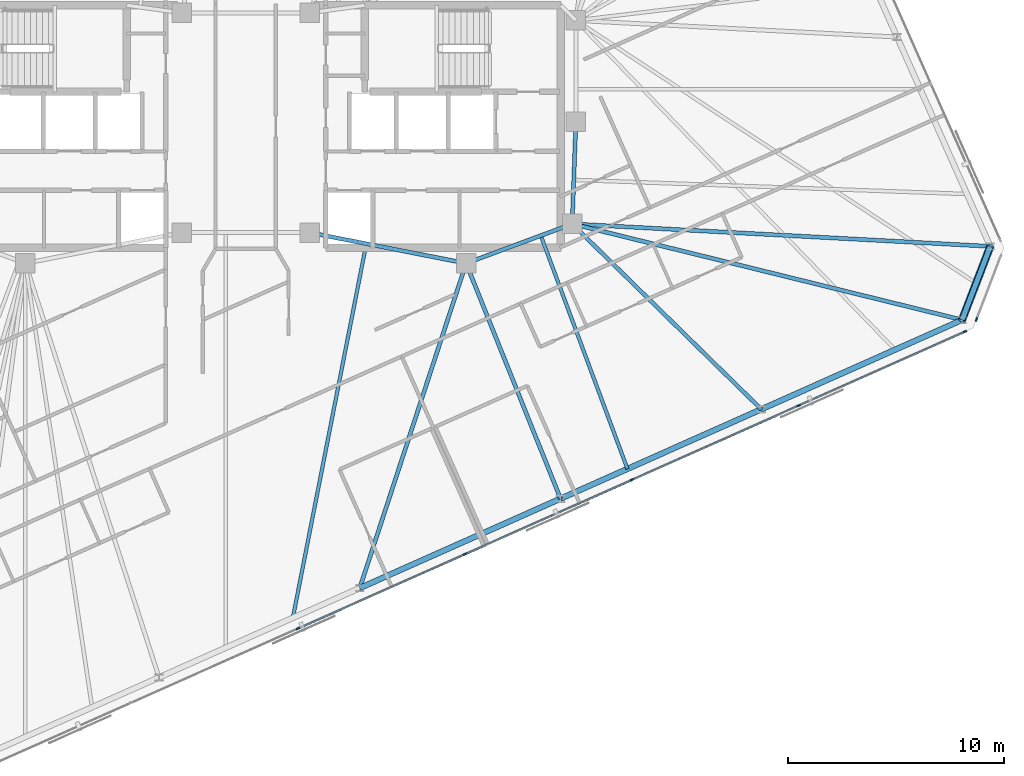
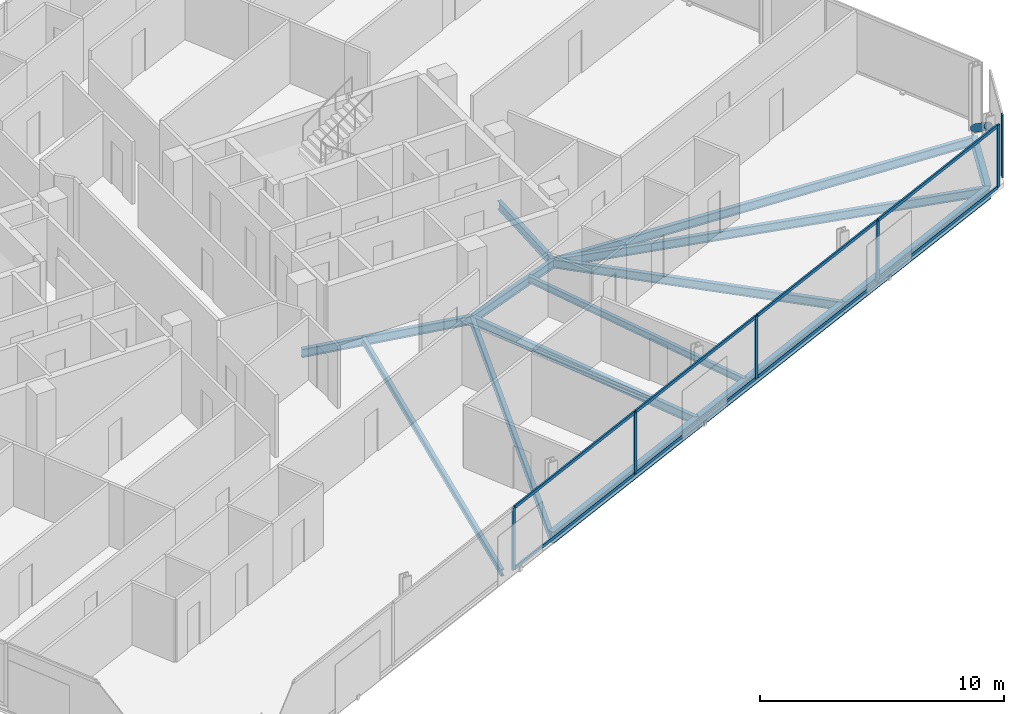
# One storey, part 7 of 19: 15 members, 14 beams, 2 elements without a shape of their own.
"""IFC4 building model written with IfcOpenShell, lengths in metres."""

import ifcopenshell
import ifcopenshell.guid

model = None  # the IFC model being written
_history = None  # IfcOwnerHistory: only IFC2X3 demands one
_inside = {}  # id of a spatial element -> (the spatial element, [elements in it])
_under = {}  # id of a project, library or spatial element -> (it, [spatial elements below it])
_declared = {}  # id of a project -> (the project, [libraries it declares])
_typed = {}  # id of a type object -> (the type object, [elements of that type])
_made_of = {}  # id of a material, layer set ... -> (it, [elements and type objects made of it])


def new_model(schema):
    """Start an empty IFC model of exactly this schema.

    Asked for "IFC4X3", IfcOpenShell would pick the latest addendum, in which some entities
    have other attributes; the version numbers below select the first issue.
    IFC2X3 requires an IfcOwnerHistory on every rooted entity: one is made here for all.
    """
    global model, _history
    if schema == "IFC4X3":
        model = ifcopenshell.file(schema_version=(4, 3, 0, 0))
    else:
        model = ifcopenshell.file(schema=schema)
    _inside.clear()
    _under.clear()
    _declared.clear()
    _typed.clear()
    _made_of.clear()
    _history = None
    if model.schema == "IFC2X3":
        org = make("IfcOrganization", Name="unknown")
        user = make(
            "IfcPersonAndOrganization",
            ThePerson=make("IfcPerson", FamilyName="unknown"),
            TheOrganization=org,
        )
        app = make(
            "IfcApplication",
            ApplicationDeveloper=org,
            Version="unknown",
            ApplicationFullName="unknown",
            ApplicationIdentifier="unknown",
        )
        _history = make(
            "IfcOwnerHistory",
            OwningUser=user,
            OwningApplication=app,
            ChangeAction="ADDED",
            CreationDate=0,
        )
    return model


def make(cls, **values):
    """One entity of the class cls with the attributes given. An attribute that is None is left unset."""
    return model.create_entity(
        cls, **{name: value for name, value in values.items() if value is not None}
    )


def rooted(cls, **values):
    """An entity with a GlobalId (a new one), such as an element, a storey or a relation."""
    return make(cls, GlobalId=ifcopenshell.guid.new(), OwnerHistory=_history, **values)


def si_unit(unit_type, name, prefix=None):
    """IfcSIUnit, for example si_unit("LENGTHUNIT", "METRE", prefix="MILLI")."""
    return make("IfcSIUnit", UnitType=unit_type, Prefix=prefix, Name=name)


def assignment(units):
    """IfcUnitAssignment: the units of a project."""
    return None if units is None else make("IfcUnitAssignment", Units=units)


def point(xyz):
    """IfcCartesianPoint."""
    return None if xyz is None else make("IfcCartesianPoint", Coordinates=xyz)


def direction(xyz):
    """IfcDirection."""
    return None if xyz is None else make("IfcDirection", DirectionRatios=xyz)


def frame(location, z_axis=None, x_axis=None):
    """IfcAxis2Placement3D, a coordinate frame: its origin and axes. An axis left out is left unset."""
    return make(
        "IfcAxis2Placement3D",
        Location=point(location),
        Axis=direction(z_axis),
        RefDirection=direction(x_axis),
    )


def frame_2d(location, x_axis=None):
    """IfcAxis2Placement2D, a coordinate frame in the plane: its origin and x axis."""
    return make(
        "IfcAxis2Placement2D", Location=point(location), RefDirection=direction(x_axis)
    )


def origin():
    """The frame at (0, 0, 0) with its axes left unset."""
    return frame((0.0, 0.0, 0.0))


def origin_2d():
    """The frame at (0, 0) in the plane with its x axis left unset."""
    return frame_2d((0.0, 0.0))


def place(relative_to, where):
    """IfcLocalPlacement: puts the frame where relative to a parent placement (None: the world)."""
    return make(
        "IfcLocalPlacement", PlacementRelTo=relative_to, RelativePlacement=where
    )


def context(
    kind, dimensions, precision=None, world=None, true_north=None, identifier=None
):
    """IfcGeometricRepresentationContext, for example the 3D "Model" context."""
    return make(
        "IfcGeometricRepresentationContext",
        ContextIdentifier=identifier,
        ContextType=kind,
        CoordinateSpaceDimension=dimensions,
        Precision=precision,
        WorldCoordinateSystem=world,
        TrueNorth=true_north,
    )


def subcontext(parent, identifier, kind, view, scale=None):
    """IfcGeometricRepresentationSubContext, for example "Body" below "Model"."""
    return make(
        "IfcGeometricRepresentationSubContext",
        ContextIdentifier=identifier,
        ContextType=kind,
        ParentContext=parent,
        TargetScale=scale,
        TargetView=view,
    )


def project(units=None, contexts=None):
    """IfcProject with its units and contexts."""
    return rooted(
        "IfcProject",
        Name="project",
        RepresentationContexts=contexts,
        UnitsInContext=assignment(units),
    )


def spatial(cls, under=None, at=None, **own):
    """A site, building, storey or space (cls), placed at a placement, below another one or the project."""
    s = rooted(cls, ObjectPlacement=at, **own)
    if under is not None:
        _under.setdefault(under.id(), (under, []))[1].append(s)
    return s


def profile(cls, at=None, kind="AREA", **sizes):
    """A parametric profile (cls). Its sizes go by their IFC names, for example OverallWidth=200.0."""
    return make(cls, ProfileType=kind, Position=at, **sizes)


def rectangle(**sizes):
    """IfcRectangleProfileDef."""
    return profile("IfcRectangleProfileDef", **sizes)


def hollow_circle(**sizes):
    """IfcCircleHollowProfileDef."""
    return profile("IfcCircleHollowProfileDef", **sizes)


def i_section(**sizes):
    """IfcIShapeProfileDef."""
    return profile("IfcIShapeProfileDef", **sizes)


def extrude(swept, where, along, depth):
    """IfcExtrudedAreaSolid: the profile swept, set in the frame where, extruded along a direction by depth."""
    return make(
        "IfcExtrudedAreaSolid",
        SweptArea=swept,
        Position=where,
        ExtrudedDirection=direction(along),
        Depth=depth,
    )


def shape(context_of_items, identifier, shape_type, items):
    """IfcShapeRepresentation: the items that make up one representation, for example the "Body"."""
    return make(
        "IfcShapeRepresentation",
        ContextOfItems=context_of_items,
        RepresentationIdentifier=identifier,
        RepresentationType=shape_type,
        Items=items,
    )


def material(Name=None, Category=None):
    """IfcMaterial."""
    return make("IfcMaterial", Name=Name, Category=Category)


def material_profile(
    of_material, cross_section, Name=None, Category=None, Priority=None
):
    """IfcMaterialProfile: a cross section and its material."""
    return make(
        "IfcMaterialProfile",
        Name=Name,
        Material=of_material,
        Profile=cross_section,
        Priority=Priority,
        Category=Category,
    )


def profile_set(profiles, Name=None, composite=None):
    """IfcMaterialProfileSet."""
    return make(
        "IfcMaterialProfileSet",
        Name=Name,
        MaterialProfiles=profiles,
        CompositeProfile=composite,
    )


def made_of(thing, what):
    """Note that an element or type object is made of a material, layer set ...; save() writes the relation."""
    if what is not None:
        _made_of.setdefault(what.id(), (what, []))[1].append(thing)
    return thing


def type_object(cls, material=None, **own):
    """A type object (cls), such as IfcWallType, which elements share."""
    return made_of(rooted(cls, **own), material)


def element(
    cls,
    number,
    at=None,
    inside=None,
    cuts=None,
    type_object=None,
    material=None,
    context=None,
    identifier="Body",
    shape_type=None,
    held_by="IfcProductDefinitionShape",
    body=None,
    shapes=None,
    **own,
):
    """One element of the class cls, such as IfcWall. Its Tag is "e" and its number.

    at: its placement. inside: the storey or other place that contains it. cuts: it is an
    opening in that element (IfcRelVoidsElement). A single representation is given by context,
    identifier, shape_type and body (its items); several are given by shapes. held_by: the class
    of the entity that holds the representations. save() writes the other relations.
    """
    e = rooted(cls, Tag="e%d" % number, ObjectPlacement=at, **own)
    if body is not None:
        shapes = [shape(context, identifier, shape_type, body)]
    if shapes is not None:
        e.Representation = make(held_by, Representations=shapes)
    if inside is not None:
        _inside.setdefault(inside.id(), (inside, []))[1].append(e)
    if cuts is not None:
        rooted(
            "IfcRelVoidsElement", RelatingBuildingElement=cuts, RelatedOpeningElement=e
        )
    if type_object is not None:
        _typed.setdefault(type_object.id(), (type_object, []))[1].append(e)
    return made_of(e, material)


def aggregate(whole, parts):
    """IfcRelAggregates: a whole, such as a stair, and the parts it consists of."""
    return rooted("IfcRelAggregates", RelatingObject=whole, RelatedObjects=parts)


def save(model, path):
    """Write the relations noted so far, then the file.

    IfcRelAggregates (storeys below a building ...), IfcRelContainedInSpatialStructure (elements
    in a storey), IfcRelDefinesByType, IfcRelAssociatesMaterial and IfcRelDeclares: one each for
    every whole, place, type object, material and project.
    """
    for whole, parts in _under.values():
        aggregate(whole, parts)
    for where, things in _inside.values():
        rooted(
            "IfcRelContainedInSpatialStructure",
            RelatedElements=things,
            RelatingStructure=where,
        )
    for kind, things in _typed.values():
        rooted("IfcRelDefinesByType", RelatedObjects=things, RelatingType=kind)
    for what, things in _made_of.values():
        rooted("IfcRelAssociatesMaterial", RelatedObjects=things, RelatingMaterial=what)
    for by, libraries in _declared.values():
        rooted("IfcRelDeclares", RelatingContext=by, RelatedDefinitions=libraries)
    model.write(path)


model = new_model("IFC4")

# Units and contexts
model_context = context("Model", 3, precision=1e-05, world=origin(), true_north=direction((0.0, 1.0)))
body_context = subcontext(model_context, "Body", "Model", "MODEL_VIEW")
ifc_project = project(units=[si_unit("LENGTHUNIT", "METRE"), si_unit("AREAUNIT", "SQUARE_METRE"), si_unit("VOLUMEUNIT", "CUBIC_METRE"), si_unit("PLANEANGLEUNIT", "RADIAN"), si_unit("MASSUNIT", "GRAM", prefix="KILO")], contexts=[model_context])

# Site, building, storey
site_placement = place(None, origin())
site = spatial("IfcSite", under=ifc_project, at=site_placement, CompositionType="ELEMENT")
building_placement = place(site_placement, origin())
building = spatial("IfcBuilding", under=site, at=building_placement, Name="Menara Jurai Vektor", CompositionType="ELEMENT")
storey_placement = place(building_placement, frame((0.0, 0.0, 291.949951171875)))
storey = spatial("IfcBuildingStorey", under=building, at=storey_placement, Name="L78", CompositionType="ELEMENT", Elevation=291.949951171875)

# Curtain wall, members
ifc_material_1 = material(Name="Anodised Pale Aluminium & Low-E Double Glazing", Category="aluminium")
curtain_wall_type = type_object("IfcCurtainWallType", Name="CW-BLK5", PredefinedType="NOTDEFINED", material=ifc_material_1)
curtain_wall_1_placement = place(storey_placement, origin())
curtain_wall_1 = element("IfcCurtainWall", 1, at=curtain_wall_1_placement, inside=storey, type_object=curtain_wall_type, Name="Unitised Curtain Wall L78 F01", PredefinedType="NOTDEFINED")
ifc_material_2 = material(Name="Anodised Pale Aluminium Mullion", Category="aluminium")
ifc_material_profile_1 = material_profile(ifc_material_2, rectangle(XDim=0.074951171875, YDim=0.175048828125, at=origin_2d()), Name="ALU MUL 75x175")
ifc_profile_set_1 = profile_set([ifc_material_profile_1], Name="Anodised Pale Aluminium Mullion")
member_type_1 = type_object("IfcMemberType", Name="CW-BLK5-MUL", PredefinedType="MULLION", material=ifc_profile_set_1)
member_1_placement = place(storey_placement, frame((2.417724609375, -23.190185546875, 0.0), z_axis=(0.0, 0.0, 1.0), x_axis=(-0.406735498684, 0.913545967158, 0.0)))
member_1 = element("IfcMember", 2, at=member_1_placement, type_object=member_type_1, Name="CW-05 mullion 3", PredefinedType="MULLION", context=body_context, shape_type="SweptSolid", body=[
    extrude(rectangle(XDim=0.074951171875, YDim=0.175048828125, at=origin_2d()), origin(), (0.0, 0.0, 1.0), 3.125),
])
member_2_placement = place(storey_placement, frame((10.1279296875, -19.75732421875, 0.0), z_axis=(0.0, 0.0, 1.0), x_axis=(-0.406735498684, 0.913545967158, 0.0)))
member_2 = element("IfcMember", 3, at=member_2_placement, type_object=member_type_1, Name="CW-05 mullion 4", PredefinedType="MULLION", context=body_context, shape_type="SweptSolid", body=[
    extrude(rectangle(XDim=0.074951171875, YDim=0.175048828125, at=origin_2d()), origin(), (0.0, 0.0, 1.0), 3.125),
])
member_3_placement = place(storey_placement, frame((17.83837890625, -16.324462890625, 0.0), z_axis=(0.0, 0.0, 1.0), x_axis=(-0.406735498684, 0.913545967158, 0.0)))
member_3 = element("IfcMember", 4, at=member_3_placement, type_object=member_type_1, Name="CW-05 mullion 5", PredefinedType="MULLION", context=body_context, shape_type="SweptSolid", body=[
    extrude(rectangle(XDim=0.074951171875, YDim=0.175048828125, at=origin_2d()), origin(), (0.0, 0.0, 1.0), 3.125),
])
member_4_placement = place(storey_placement, frame((25.548583984375, -12.8916015625, 0.0), z_axis=(0.0, 0.0, 1.0), x_axis=(-0.406735498684, 0.913545967158, 0.0)))
member_4 = element("IfcMember", 5, at=member_4_placement, type_object=member_type_1, Name="CW-05 mullion 6", PredefinedType="MULLION", context=body_context, shape_type="SweptSolid", body=[
    extrude(rectangle(XDim=0.074951171875, YDim=0.175048828125, at=origin_2d()), origin(), (0.0, 0.0, 1.0), 3.125),
])
member_5_placement = place(storey_placement, frame((33.224853515625, -9.47412109375, 0.0), z_axis=(0.0, 0.0, 1.0), x_axis=(-0.406735498684, 0.913545967158, 0.0)))
member_5 = element("IfcMember", 6, at=member_5_placement, type_object=member_type_1, Name="CW-05 mullion 7", PredefinedType="MULLION", context=body_context, shape_type="SweptSolid", body=[
    extrude(rectangle(XDim=0.074951171875, YDim=0.175048828125, at=origin_2d()), origin(), (0.0, 0.0, 1.0), 3.125),
])

# Curtain wall, member
curtain_wall_2_placement = place(storey_placement, origin())
curtain_wall_2 = element("IfcCurtainWall", 7, at=curtain_wall_2_placement, inside=storey, type_object=curtain_wall_type, Name="Unitised Curtain Wall L78 F02", PredefinedType="NOTDEFINED")
member_6_placement = place(storey_placement, frame((33.755859375, -8.914306640625, 0.0), z_axis=(0.0, 0.0, 1.0), x_axis=(-0.933578193639, 0.358373766287, 0.0)))
member_6 = element("IfcMember", 8, at=member_6_placement, type_object=member_type_1, Name="CW-05 mullion 1", PredefinedType="MULLION", context=body_context, shape_type="SweptSolid", body=[
    extrude(rectangle(XDim=0.074951171875, YDim=0.175048828125, at=origin_2d()), origin(), (0.0, 0.0, 1.0), 3.125),
])
aggregate(curtain_wall_2, [member_6])

# Member
ifc_material_3 = material(Name="Anodised Pale Aluminium Transom", Category="aluminium")
ifc_material_profile_2 = material_profile(ifc_material_3, rectangle(XDim=0.074951171875, YDim=0.155029296875, at=origin_2d()), Name="ALU TRN 75x155")
ifc_profile_set_2 = profile_set([ifc_material_profile_2], Name="Anodised Pale Aluminium Transom")
member_type_2 = type_object("IfcMemberType", Name="CW-BLK5-TRN", PredefinedType="USERDEFINED", material=ifc_profile_set_2)
member_7_placement = place(storey_placement, frame((2.451904296875, -23.175048828125, 0.03759765625), z_axis=(0.913546575494, 0.406734132331, 0.0), x_axis=(-0.406734132331, 0.913546575494, 0.0)))
member_7 = element("IfcMember", 9, at=member_7_placement, type_object=member_type_2, Name="CW-05 transom 3.1", ObjectType="TRANSOM", PredefinedType="USERDEFINED", context=body_context, shape_type="SweptSolid", body=[
    extrude(rectangle(XDim=0.074951171875, YDim=0.155029296875, at=origin_2d()), origin(), (0.0, 0.0, 1.0), 8.364990234375),
])

member_8_placement = place(storey_placement, frame((2.451904296875, -23.175048828125, 3.087646484375), z_axis=(0.913546575494, 0.406734132331, 0.0), x_axis=(-0.406734132331, 0.913546575494, 0.0)))
member_8 = element("IfcMember", 10, at=member_8_placement, type_object=member_type_2, Name="CW-05 transom 3.2", ObjectType="TRANSOM", PredefinedType="USERDEFINED", context=body_context, shape_type="SweptSolid", body=[
    extrude(rectangle(XDim=0.074951171875, YDim=0.155029296875, at=origin_2d()), origin(), (0.0, 0.0, 1.0), 8.364990234375),
])

member_9_placement = place(storey_placement, frame((10.162353515625, -19.7421875, 0.03759765625), z_axis=(0.913541747007, 0.406744977198, 0.0), x_axis=(-0.406744977198, 0.913541747007, 0.0)))
member_9 = element("IfcMember", 11, at=member_9_placement, type_object=member_type_2, Name="CW-05 transom 4.1", ObjectType="TRANSOM", PredefinedType="USERDEFINED", context=body_context, shape_type="SweptSolid", body=[
    extrude(rectangle(XDim=0.074951171875, YDim=0.155029296875, at=origin_2d()), origin(), (0.0, 0.0, 1.0), 8.36474609375),
])

member_10_placement = place(storey_placement, frame((10.162353515625, -19.7421875, 3.087646484375), z_axis=(0.913541747007, 0.406744977198, 0.0), x_axis=(-0.406744977198, 0.913541747007, 0.0)))
member_10 = element("IfcMember", 12, at=member_10_placement, type_object=member_type_2, Name="CW-05 transom 4.2", ObjectType="TRANSOM", PredefinedType="USERDEFINED", context=body_context, shape_type="SweptSolid", body=[
    extrude(rectangle(XDim=0.074951171875, YDim=0.155029296875, at=origin_2d()), origin(), (0.0, 0.0, 1.0), 8.36474609375),
])

member_11_placement = place(storey_placement, frame((17.87255859375, -16.309326171875, 0.03759765625), z_axis=(0.913546575494, 0.406734132331, 0.0), x_axis=(-0.406734132331, 0.913546575494, 0.0)))
member_11 = element("IfcMember", 13, at=member_11_placement, type_object=member_type_2, Name="CW-05 transom 5.1", ObjectType="TRANSOM", PredefinedType="USERDEFINED", context=body_context, shape_type="SweptSolid", body=[
    extrude(rectangle(XDim=0.074951171875, YDim=0.155029296875, at=origin_2d()), origin(), (0.0, 0.0, 1.0), 8.364990234375),
])

member_12_placement = place(storey_placement, frame((17.87255859375, -16.309326171875, 3.087646484375), z_axis=(0.913546575494, 0.406734132331, 0.0), x_axis=(-0.406734132331, 0.913546575494, 0.0)))
member_12 = element("IfcMember", 14, at=member_12_placement, type_object=member_type_2, Name="CW-05 transom 5.2", ObjectType="TRANSOM", PredefinedType="USERDEFINED", context=body_context, shape_type="SweptSolid", body=[
    extrude(rectangle(XDim=0.074951171875, YDim=0.155029296875, at=origin_2d()), origin(), (0.0, 0.0, 1.0), 8.364990234375),
])

member_13_placement = place(storey_placement, frame((25.5830078125, -12.87646484375, 0.03759765625), z_axis=(0.91353811338, 0.406753138159, 0.0), x_axis=(-0.406753138159, 0.91353811338, 0.0)))
member_13 = element("IfcMember", 15, at=member_13_placement, type_object=member_type_2, Name="CW-05 transom 6.1", ObjectType="TRANSOM", PredefinedType="USERDEFINED", context=body_context, shape_type="SweptSolid", body=[
    extrude(rectangle(XDim=0.074951171875, YDim=0.155029296875, at=origin_2d()), origin(), (0.0, 0.0, 1.0), 8.327392578125),
])

member_14_placement = place(storey_placement, frame((25.5830078125, -12.87646484375, 3.087646484375), z_axis=(0.91353811338, 0.406753138159, 0.0), x_axis=(-0.406753138159, 0.91353811338, 0.0)))
member_14 = element("IfcMember", 16, at=member_14_placement, type_object=member_type_2, Name="CW-05 transom 6.2", ObjectType="TRANSOM", PredefinedType="USERDEFINED", context=body_context, shape_type="SweptSolid", body=[
    extrude(rectangle(XDim=0.074951171875, YDim=0.155029296875, at=origin_2d()), origin(), (0.0, 0.0, 1.0), 8.327392578125),
])

aggregate(curtain_wall_1, [member_1, member_2, member_3, member_4, member_5, member_7, member_8, member_9, member_10, member_11, member_12, member_13, member_14])

# Beams
ifc_material_4 = material(Name="Steel S355", Category="steel")
ifc_material_profile_3 = material_profile(ifc_material_4, i_section(OverallWidth=0.18505859375, OverallDepth=0.429931640625, WebThickness=0.010986328125, FlangeThickness=0.01806640625, at=origin_2d()), Name="PG 430x185x76")
ifc_profile_set_3 = profile_set([ifc_material_profile_3], Name="Steel S355")
beam_type_1 = type_object("IfcBeamType", Name="STR-BM-430", PredefinedType="BEAM", material=ifc_profile_set_3)
beam_1_placement = place(storey_placement, frame((15.080078125, -4.5, -0.43994140625), z_axis=(0.035977314146, 0.999352606874, 0.0), x_axis=(-0.999352606874, 0.035977314146, 0.0)))
element("IfcBeam", 17, at=beam_1_placement, inside=storey, type_object=beam_type_1, Name="Core Ring Header Girder L78-CHE-E2", PredefinedType="BEAM", context=body_context, shape_type="SweptSolid", body=[
    extrude(i_section(OverallWidth=0.18505859375, OverallDepth=0.429931640625, WebThickness=0.010986328125, FlangeThickness=0.01806640625, at=origin_2d()), origin(), (0.0, 0.0, 1.0), 4.72314453125),
])
beam_2_placement = place(storey_placement, frame((10.179931640625, -6.320068359375, -0.43994140625), z_axis=(0.937424400887, 0.348188874925, 0.0), x_axis=(-0.348188874925, 0.937424400887, 0.0)))
element("IfcBeam", 18, at=beam_2_placement, inside=storey, type_object=beam_type_1, Name="Core Ring Header Girder L78-CHE-S1", PredefinedType="BEAM", context=body_context, shape_type="SweptSolid", body=[
    extrude(i_section(OverallWidth=0.18505859375, OverallDepth=0.429931640625, WebThickness=0.010986328125, FlangeThickness=0.01806640625, at=origin_2d()), origin(), (0.0, 0.0, 1.0), 5.227294921875),
])
beam_3_placement = place(storey_placement, frame((2.949951171875, -4.89990234375, -0.43994140625), z_axis=(0.981249044334, -0.192744164614, 0.0), x_axis=(0.192744164614, 0.981249044334, 0.0)))
element("IfcBeam", 19, at=beam_3_placement, inside=storey, type_object=beam_type_1, Name="Core Ring Header Girder L78-CHE-S2", PredefinedType="BEAM", context=body_context, shape_type="SweptSolid", body=[
    extrude(i_section(OverallWidth=0.18505859375, OverallDepth=0.429931640625, WebThickness=0.010986328125, FlangeThickness=0.01806640625, at=origin_2d()), origin(), (0.0, 0.0, 1.0), 7.3681640625),
])
beam_4_placement = place(storey_placement, frame((5.267578125, -21.3193359375, -0.43994140625), z_axis=(0.311239486704, 0.950331511587, 0.0), x_axis=(-0.950331511587, 0.311239486704, 0.0)))
element("IfcBeam", 20, at=beam_4_placement, inside=storey, type_object=beam_type_1, Name="Radial Floor Girder L78-S3", PredefinedType="BEAM", context=body_context, shape_type="SweptSolid", body=[
    extrude(i_section(OverallWidth=0.18505859375, OverallDepth=0.429931640625, WebThickness=0.010986328125, FlangeThickness=0.01806640625, at=origin_2d()), origin(), (0.0, 0.0, 1.0), 15.783203125),
])
beam_5_placement = place(storey_placement, frame((14.541015625, -17.1904296875, -0.43994140625), z_axis=(-0.372342852726, 0.928095253745, 0.0), x_axis=(-0.928095253745, -0.372342852726, 0.0)))
element("IfcBeam", 21, at=beam_5_placement, inside=storey, type_object=beam_type_1, Name="Radial Floor Girder L78-S4", PredefinedType="BEAM", context=body_context, shape_type="SweptSolid", body=[
    extrude(i_section(OverallWidth=0.18505859375, OverallDepth=0.429931640625, WebThickness=0.010986328125, FlangeThickness=0.01806640625, at=origin_2d()), origin(), (0.0, 0.0, 1.0), 11.712646484375),
])
beam_6_placement = place(storey_placement, frame((23.814697265625, -13.061767578125, -0.43994140625), z_axis=(-0.714137598149, 0.70000535063, 0.0), x_axis=(-0.70000535063, -0.714137598149, 0.0)))
element("IfcBeam", 22, at=beam_6_placement, inside=storey, type_object=beam_type_1, Name="Radial Floor Girder L78-S5", PredefinedType="BEAM", context=body_context, shape_type="SweptSolid", body=[
    extrude(i_section(OverallWidth=0.18505859375, OverallDepth=0.429931640625, WebThickness=0.010986328125, FlangeThickness=0.01806640625, at=origin_2d()), origin(), (0.0, 0.0, 1.0), 12.23095703125),
])
beam_7_placement = place(storey_placement, frame((33.088134765625, -8.932861328125, -0.43994140625), z_axis=(-0.971013515776, 0.239024584888, 0.0), x_axis=(-0.239024584888, -0.971013515776, 0.0)))
element("IfcBeam", 23, at=beam_7_placement, inside=storey, type_object=beam_type_1, Name="Radial Floor Girder L78-S6", PredefinedType="BEAM", context=body_context, shape_type="SweptSolid", body=[
    extrude(i_section(OverallWidth=0.18505859375, OverallDepth=0.429931640625, WebThickness=0.010986328125, FlangeThickness=0.01806640625, at=origin_2d()), origin(), (0.0, 0.0, 1.0), 18.545654296875),
])
beam_8_placement = place(storey_placement, frame((34.3916015625, -5.536865234375, -0.43994140625), z_axis=(-0.998561718759, 0.053614306189, 0.0), x_axis=(-0.053614306189, -0.998561718759, 0.0)))
element("IfcBeam", 24, at=beam_8_placement, inside=storey, type_object=beam_type_1, Name="Radial Floor Girder L78-E1", PredefinedType="BEAM", context=body_context, shape_type="SweptSolid", body=[
    extrude(i_section(OverallWidth=0.18505859375, OverallDepth=0.429931640625, WebThickness=0.010986328125, FlangeThickness=0.01806640625, at=origin_2d()), origin(), (0.0, 0.0, 1.0), 19.33935546875),
])

# Member
ifc_material_5 = material(Name="Steel S460", Category="steel")
ifc_material_profile_4 = material_profile(ifc_material_5, hollow_circle(Radius=0.177734375, WallThickness=0.01611328125, at=origin_2d()), Name="CHS 355.6x16")
ifc_profile_set_4 = profile_set([ifc_material_profile_4], Name="Steel S460")
member_type_3 = type_object("IfcMemberType", Name="STR-BR-356", PredefinedType="BRACE", material=ifc_profile_set_4)
member_15_placement = place(storey_placement, frame((34.3916015625, -5.536865234375, 0.150146484375), z_axis=(-0.290575939475, -0.757054002265, 0.585179340931), x_axis=(0.933592747566, -0.358335850414, 0.0)))
element("IfcMember", 25, at=member_15_placement, inside=storey, type_object=member_type_3, Name="Exoskeleton Corner Brace L78-1", PredefinedType="BRACE", context=body_context, shape_type="SweptSolid", body=[
    extrude(hollow_circle(Radius=0.177734375, WallThickness=0.01611328125, at=origin_2d()), origin(), (0.0, 0.0, 1.0), 4.48583984375),
])

# Beams
ifc_material_profile_5 = material_profile(ifc_material_4, i_section(OverallWidth=0.1650390625, OverallDepth=0.330078125, WebThickness=0.009033203125, FlangeThickness=0.013916015625, at=origin_2d()), Name="PG 330x165x46")
ifc_profile_set_5 = profile_set([ifc_material_profile_5], Name="Steel S355")
beam_type_2 = type_object("IfcBeamType", Name="STR-JS-330", PredefinedType="JOIST", material=ifc_profile_set_5)
beam_9_placement = place(storey_placement, frame((2.176513671875, -22.695556640625, -0.389892578125), z_axis=(0.192710503651, 0.981255655669, 0.0), x_axis=(-0.981255655669, 0.192710503651, 0.0)))
element("IfcBeam", 26, at=beam_9_placement, inside=storey, type_object=beam_type_2, Name="Radial Secondary Floor Joist L78-JS04", PredefinedType="JOIST", context=body_context, shape_type="SweptSolid", body=[
    extrude(i_section(OverallWidth=0.1650390625, OverallDepth=0.330078125, WebThickness=0.009033203125, FlangeThickness=0.013916015625, at=origin_2d()), origin(), (0.0, 0.0, 1.0), 17.61083984375),
])
beam_10_placement = place(storey_placement, frame((17.632080078125, -15.814208984375, -0.389892578125), z_axis=(-0.348172664726, 0.937430421705, 0.0), x_axis=(-0.937430421705, -0.348172664726, 0.0)))
element("IfcBeam", 27, at=beam_10_placement, inside=storey, type_object=beam_type_2, Name="Radial Secondary Floor Joist L78-JS05", PredefinedType="JOIST", context=body_context, shape_type="SweptSolid", body=[
    extrude(i_section(OverallWidth=0.1650390625, OverallDepth=0.330078125, WebThickness=0.009033203125, FlangeThickness=0.013916015625, at=origin_2d()), origin(), (0.0, 0.0, 1.0), 11.494873046875),
])
ifc_material_profile_6 = material_profile(ifc_material_4, i_section(OverallWidth=0.260009765625, OverallDepth=0.570068359375, WebThickness=0.013916015625, FlangeThickness=0.02392578125, at=origin_2d()), Name="PG 570x260x145")
ifc_profile_set_6 = profile_set([ifc_material_profile_6], Name="Steel S355")
beam_type_3 = type_object("IfcBeamType", Name="STR-SP-570", PredefinedType="SPANDREL", material=ifc_profile_set_6)
for number, where, z_axis, x_axis, name in (
    (28, (5.267578125, -21.3193359375, -0.510009765625), (0.913541582548, 0.406745346568, 0.0), (-0.406745346568, 0.913541582548, 0.0), "Exoskeleton Spandrel Beam L78-03"),
    (29, (14.541015625, -17.1904296875, -0.510009765625), (0.913554497648, 0.406716338284, 0.0), (-0.406716338284, 0.913554497648, 0.0), "Exoskeleton Spandrel Beam L78-04"),
    (30, (23.814697265625, -13.061767578125, -0.510009765625), (0.913541582548, 0.406745346568, 0.0), (-0.406745346568, 0.913541582548, 0.0), "Exoskeleton Spandrel Beam L78-05"),
):
    element("IfcBeam", number, at=place(storey_placement, frame(where, z_axis=z_axis, x_axis=x_axis)), inside=storey, type_object=beam_type_3, Name=name, PredefinedType="SPANDREL", context=body_context, shape_type="SweptSolid", body=[
        extrude(i_section(OverallWidth=0.260009765625, OverallDepth=0.570068359375, WebThickness=0.013916015625, FlangeThickness=0.02392578125, at=origin_2d()), origin(), (0.0, 0.0, 1.0), 10.151123046875),
    ])
beam_11_placement = place(storey_placement, frame((33.088134765625, -8.932861328125, -0.510009765625), z_axis=(0.358335850414, 0.933592747566, 0.0), x_axis=(-0.933592747566, 0.358335850414, 0.0)))
element("IfcBeam", 31, at=beam_11_placement, inside=storey, type_object=beam_type_3, Name="Exoskeleton Spandrel Beam L78-06", PredefinedType="SPANDREL", context=body_context, shape_type="SweptSolid", body=[
    extrude(i_section(OverallWidth=0.260009765625, OverallDepth=0.570068359375, WebThickness=0.013916015625, FlangeThickness=0.02392578125, at=origin_2d()), origin(), (0.0, 0.0, 1.0), 3.637451171875),
])

save(model, "model.ifc")
